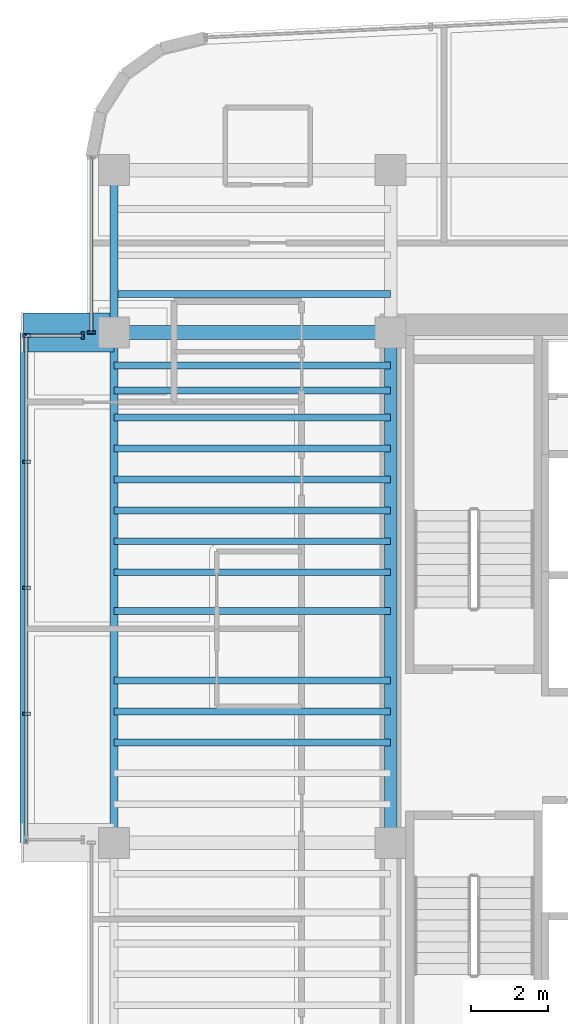
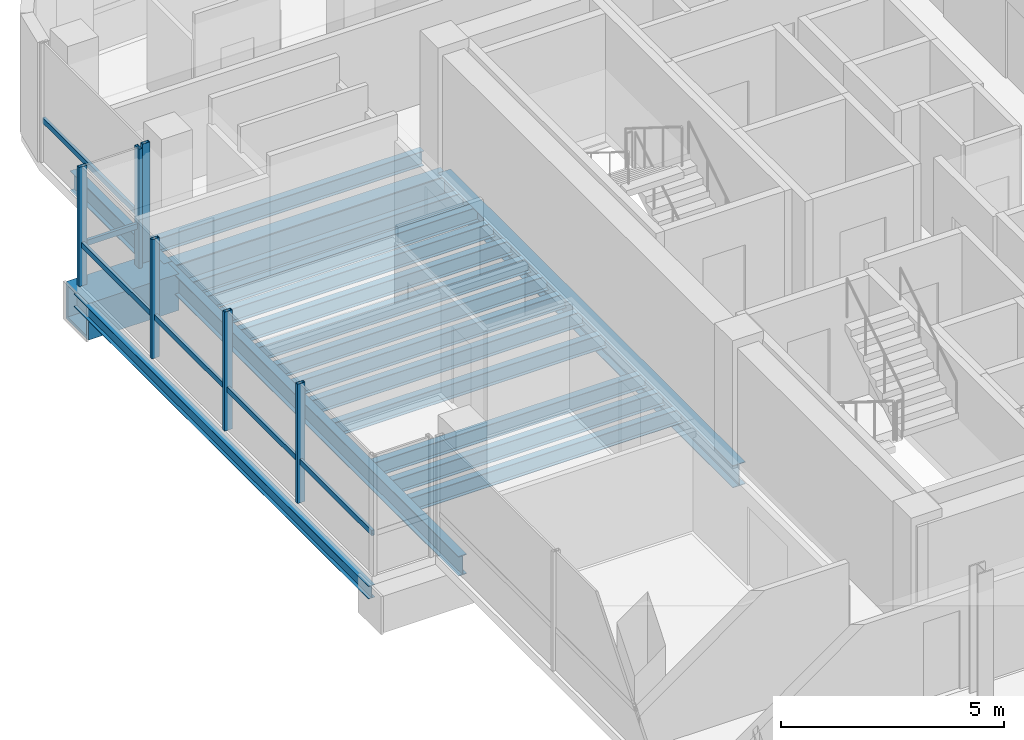
# One storey, part 6 of 20: 19 beams, 9 members, 3 elements without a shape of their own.
"""IFC4 building model written with IfcOpenShell, lengths in metres."""

from ifc_helpers import new_model, si_unit, direction, frame, origin, origin_2d, place, context, subcontext, project, spatial, hollow_rectangle, i_section, extrude, source, transform, mapped, material, material_profile, profile_set, type_object, element, aggregate, save


model = new_model("IFC4")

# Units and contexts
model_context = context("Model", 3, precision=1e-05, world=origin(), true_north=direction((0.0, 1.0)))
body_context = subcontext(model_context, "Body", "Model", "MODEL_VIEW")
ifc_project = project(units=[si_unit("LENGTHUNIT", "METRE"), si_unit("AREAUNIT", "SQUARE_METRE"), si_unit("VOLUMEUNIT", "CUBIC_METRE"), si_unit("PLANEANGLEUNIT", "RADIAN"), si_unit("MASSUNIT", "GRAM", prefix="KILO")], contexts=[model_context])

# Site, building, storey
site_placement = place(None, origin())
site = spatial("IfcSite", under=ifc_project, at=site_placement, CompositionType="ELEMENT")
building_placement = place(site_placement, origin())
building = spatial("IfcBuilding", under=site, at=building_placement, Name="Valdorenza Pilgrim Sanctuary Tower", CompositionType="ELEMENT")
storey_placement = place(building_placement, frame((0.0, 0.0, 240.5)))
storey = spatial("IfcBuildingStorey", under=building, at=storey_placement, Name="L62", CompositionType="ELEMENT", Elevation=240.5)

# Beams
ifc_material_1 = material(Name="Steel ASTM A992 Grade 50", Category="steel")
ifc_material_profile_1 = material_profile(ifc_material_1, i_section(OverallWidth=0.323974609375, OverallDepth=0.611083984375, WebThickness=0.0126953125, FlangeThickness=0.01904296875, at=origin_2d()), Name="W24X104")
ifc_profile_set_1 = profile_set([ifc_material_profile_1], Name="Steel ASTM A992 Grade 50")
beam_type_1 = type_object("IfcBeamType", Name="STR-BM-GRD-W24B", PredefinedType="BEAM", material=ifc_profile_set_1)
shared_shape_1 = source(origin(), body_context, "Body", "SweptSolid", [
    extrude(i_section(OverallWidth=0.323974609375, OverallDepth=0.611083984375, WebThickness=0.0126953125, FlangeThickness=0.01904296875, at=origin_2d()), origin(), (0.0, 0.0, 1.0), 13.2001953125),
])
beam_1_placement = place(storey_placement, frame((-22.64990234375, -2.60009765625, -0.54541015625), z_axis=(0.0, 1.0, 0.0), x_axis=(-1.0, 0.0, 0.0)))
element("IfcBeam", 1, at=beam_1_placement, inside=storey, type_object=beam_type_1, Name="L62 Core Tie Girder CA-W-M0N1", PredefinedType="BEAM", context=body_context, shape_type="MappedRepresentation", body=[
    mapped(shared_shape_1, transform((0.0, 0.0, 0.0), x_axis=(1.0, 0.0, 0.0), y_axis=(0.0, 1.0, 0.0), z_axis=(0.0, 0.0, 1.0), scale=1.0)),
])
ifc_material_profile_2 = material_profile(ifc_material_1, i_section(OverallWidth=0.1708984375, OverallDepth=0.35107421875, WebThickness=0.0068359375, FlangeThickness=0.009765625, at=origin_2d()), Name="W14X30")
ifc_profile_set_2 = profile_set([ifc_material_profile_2], Name="Steel ASTM A992 Grade 50")
beam_type_2 = type_object("IfcBeamType", Name="STR-BM-BOX-W14", PredefinedType="BEAM", material=ifc_profile_set_2)
shared_shape_2 = source(origin(), body_context, "Body", "SweptSolid", [
    extrude(i_section(OverallWidth=0.1708984375, OverallDepth=0.35107421875, WebThickness=0.0068359375, FlangeThickness=0.009765625, at=origin_2d()), origin(), (0.0, 0.0, 1.0), 13.2001953125),
])
beam_2_placement = place(storey_placement, frame((-32.14990234375, -2.60009765625, -0.41552734375), z_axis=(0.0, 1.0, 0.0), x_axis=(-1.0, 0.0, 0.0)))
element("IfcBeam", 2, at=beam_2_placement, inside=storey, type_object=beam_type_2, Name="L62 Glass Box Edge Beam BOX-WA-L62-F", PredefinedType="BEAM", context=body_context, shape_type="MappedRepresentation", body=[
    mapped(shared_shape_2, transform((0.0, 0.0, 0.0), x_axis=(1.0, 0.0, 0.0), y_axis=(0.0, 1.0, 0.0), z_axis=(0.0, 0.0, 1.0), scale=1.0)),
])
ifc_material_profile_3 = material_profile(ifc_material_1, i_section(OverallWidth=0.2109375, OverallDepth=0.5390625, WebThickness=0.01171875, FlangeThickness=0.018798828125, at=origin_2d()), Name="W21X73")
ifc_profile_set_3 = profile_set([ifc_material_profile_3], Name="Steel ASTM A992 Grade 50")
beam_type_3 = type_object("IfcBeamType", Name="STR-BM-SPN-W21B", PredefinedType="SPANDREL", material=ifc_profile_set_3)
shared_shape_3 = source(origin(), body_context, "Body", "SweptSolid", [
    extrude(i_section(OverallWidth=0.2109375, OverallDepth=0.5390625, WebThickness=0.01171875, FlangeThickness=0.018798828125, at=origin_2d()), origin(), (0.0, 0.0, 1.0), 13.2001953125),
])
beam_3_placement = place(storey_placement, frame((-29.800048828125, -2.60009765625, -0.509521484375), z_axis=(0.0, 1.0, 0.0), x_axis=(-1.0, 0.0, 0.0)))
element("IfcBeam", 3, at=beam_3_placement, inside=storey, type_object=beam_type_3, Name="L62 Spandrel Beam WA-W-M0N1", PredefinedType="SPANDREL", context=body_context, shape_type="MappedRepresentation", body=[
    mapped(shared_shape_3, transform((0.0, 0.0, 0.0), x_axis=(1.0, 0.0, 0.0), y_axis=(0.0, 1.0, 0.0), z_axis=(0.0, 0.0, 1.0), scale=1.0)),
])
shared_shape_4 = source(origin(), body_context, "Body", "SweptSolid", [
    extrude(i_section(OverallWidth=0.2109375, OverallDepth=0.5390625, WebThickness=0.01171875, FlangeThickness=0.018798828125, at=origin_2d()), origin(), (0.0, 0.0, 1.0), 4.199951171875),
])
beam_4_placement = place(storey_placement, frame((-29.800048828125, 10.60009765625, -0.509521484375), z_axis=(0.0, 1.0, 0.0), x_axis=(-1.0, 0.0, 0.0)))
element("IfcBeam", 4, at=beam_4_placement, inside=storey, type_object=beam_type_3, Name="L62 Spandrel Beam WA-W-N1N2", PredefinedType="SPANDREL", context=body_context, shape_type="MappedRepresentation", body=[
    mapped(shared_shape_4, transform((0.0, 0.0, 0.0), x_axis=(1.0, 0.0, 0.0), y_axis=(0.0, 1.0, 0.0), z_axis=(0.0, 0.0, 1.0), scale=1.0)),
])
ifc_material_profile_4 = material_profile(ifc_material_1, i_section(OverallWidth=0.35595703125, OverallDepth=0.700927734375, WebThickness=0.016845703125, FlangeThickness=0.02734375, at=origin_2d()), Name="W27X161")
ifc_profile_set_4 = profile_set([ifc_material_profile_4], Name="Steel ASTM A992 Grade 50")
beam_type_4 = type_object("IfcBeamType", Name="STR-BM-GRD-W27", PredefinedType="BEAM", material=ifc_profile_set_4)
shared_shape_5 = source(origin(), body_context, "Body", "SweptSolid", [
    extrude(i_section(OverallWidth=0.35595703125, OverallDepth=0.700927734375, WebThickness=0.016845703125, FlangeThickness=0.02734375, at=origin_2d()), origin(), (0.0, 0.0, 1.0), 7.150146484375),
])
beam_5_placement = place(storey_placement, frame((-29.800048828125, 10.60009765625, -0.590576171875), z_axis=(1.0, 0.0, 0.0), x_axis=(0.0, 1.0, 0.0)))
element("IfcBeam", 5, at=beam_5_placement, inside=storey, type_object=beam_type_4, Name="L62 Floor Girder WA-XW-N1", PredefinedType="BEAM", context=body_context, shape_type="MappedRepresentation", body=[
    mapped(shared_shape_5, transform((0.0, 0.0, 0.0), x_axis=(1.0, 0.0, 0.0), y_axis=(0.0, 1.0, 0.0), z_axis=(0.0, 0.0, 1.0), scale=1.0)),
])
ifc_material_profile_5 = material_profile(ifc_material_1, i_section(OverallWidth=0.177978515625, OverallDepth=0.406005859375, WebThickness=0.0078125, FlangeThickness=0.0126953125, at=origin_2d()), Name="W16X40")
ifc_profile_set_5 = profile_set([ifc_material_profile_5], Name="Steel ASTM A992 Grade 50")
beam_type_5 = type_object("IfcBeamType", Name="STR-BM-JST-W16", PredefinedType="JOIST", material=ifc_profile_set_5)
shared_shape_6 = source(origin(), body_context, "Body", "SweptSolid", [
    extrude(i_section(OverallWidth=0.177978515625, OverallDepth=0.406005859375, WebThickness=0.0078125, FlangeThickness=0.0126953125, at=origin_2d()), origin(), (0.0, 0.0, 1.0), 7.150146484375),
])
for number, where, z_axis, x_axis, name in (
    (6, (-29.800048828125, 0.0, -0.443115234375), (1.0, 0.0, 0.0), (0.0, 1.0, 0.0), "L62 Composite Floor Joist JST-WA-12"),
    (7, (-29.800048828125, 0.800048828125, -0.443115234375), (1.0, 0.0, 0.0), (0.0, 1.0, 0.0), "L62 Composite Floor Joist JST-WA-13"),
    (8, (-29.800048828125, 1.60009765625, -0.443115234375), (1.0, 0.0, 0.0), (0.0, 1.0, 0.0), "L62 Composite Floor Joist JST-WA-14"),
    (9, (-29.800048828125, 3.39990234375, -0.443115234375), (1.0, 0.0, 0.0), (0.0, 1.0, 0.0), "L62 Composite Floor Joist JST-WA-15"),
    (10, (-29.800048828125, 4.39990234375, -0.443115234375), (1.0, 0.0, 0.0), (0.0, 1.0, 0.0), "L62 Composite Floor Joist JST-WA-16"),
    (11, (-29.800048828125, 5.199951171875, -0.443115234375), (1.0, 0.0, 0.0), (0.0, 1.0, 0.0), "L62 Composite Floor Joist JST-WA-17"),
    (12, (-29.800048828125, 6.0, -0.443115234375), (1.0, 0.0, 0.0), (0.0, 1.0, 0.0), "L62 Composite Floor Joist JST-WA-18"),
    (13, (-29.800048828125, 6.800048828125, -0.443115234375), (1.0, 0.0, 0.0), (0.0, 1.0, 0.0), "L62 Composite Floor Joist JST-WA-19"),
    (14, (-29.800048828125, 7.60009765625, -0.443115234375), (1.0, 0.0, 0.0), (0.0, 1.0, 0.0), "L62 Composite Floor Joist JST-WA-20"),
    (15, (-29.800048828125, 8.39990234375, -0.443115234375), (1.0, 0.0, 0.0), (0.0, 1.0, 0.0), "L62 Composite Floor Joist JST-WA-21"),
    (16, (-29.800048828125, 9.10009765625, -0.443115234375), (1.0, 0.0, 0.0), (0.0, 1.0, 0.0), "L62 Composite Floor Joist JST-WA-22"),
    (17, (-29.800048828125, 9.75, -0.443115234375), (1.0, 0.0, 0.0), (0.0, 1.0, 0.0), "L62 Composite Floor Joist JST-WA-23"),
    (18, (-29.800048828125, 11.60009765625, -0.443115234375), (1.0, 0.0, 0.0), (0.0, 1.0, 0.0), "L62 Composite Floor Joist JST-WA-24"),
):
    element("IfcBeam", number, at=place(storey_placement, frame(where, z_axis=z_axis, x_axis=x_axis)), inside=storey, type_object=beam_type_5, Name=name, PredefinedType="JOIST", context=body_context, shape_type="MappedRepresentation", body=[
        mapped(shared_shape_6, transform((0.0, 0.0, 0.0), x_axis=(1.0, 0.0, 0.0), y_axis=(0.0, 1.0, 0.0), z_axis=(0.0, 0.0, 1.0), scale=1.0)),
    ])
ifc_material_2 = material(Name="Steel ASTM A572 Grade 42", Category="steel")
ifc_material_profile_6 = material_profile(ifc_material_2, hollow_rectangle(XDim=1.0, YDim=1.0, WallThickness=0.080078125, at=origin_2d()), Name="BOX 1000x1000x80")
ifc_profile_set_6 = profile_set([ifc_material_profile_6], Name="Steel ASTM A572 Grade 42")
beam_type_6 = type_object("IfcBeamType", Name="STR-BM-PROW-CANT", PredefinedType="BEAM", material=ifc_profile_set_6)
shared_shape_7 = source(origin(), body_context, "Body", "SweptSolid", [
    extrude(hollow_rectangle(XDim=1.0, YDim=1.0, WallThickness=0.080078125, at=origin_2d()), origin(), (0.0, 0.0, 1.0), 2.349853515625),
])
beam_6_placement = place(storey_placement, frame((-29.800048828125, 10.60009765625, -0.739990234375), z_axis=(-1.0, 0.0, 0.0), x_axis=(0.0, -1.0, 0.0)))
element("IfcBeam", 19, at=beam_6_placement, inside=storey, type_object=beam_type_6, Name="L62 Glass Box Cantilever Beam BOX-WA-L62-CT-N", PredefinedType="BEAM", context=body_context, shape_type="MappedRepresentation", body=[
    mapped(shared_shape_7, transform((0.0, 0.0, 0.0), x_axis=(1.0, 0.0, 0.0), y_axis=(0.0, 1.0, 0.0), z_axis=(0.0, 0.0, 1.0), scale=1.0)),
])

# Curtain wall, member
ifc_material_3 = material(Name="Curtain-wall IGU glazing", Category="glass")
curtain_wall_type = type_object("IfcCurtainWallType", Name="CW-SYS-02", PredefinedType="NOTDEFINED", material=ifc_material_3)
curtain_wall_1_placement = place(storey_placement, origin())
curtain_wall_1 = element("IfcCurtainWall", 20, at=curtain_wall_1_placement, inside=storey, type_object=curtain_wall_type, Name="L62 Curtain Wall CW-L62-BOX-WA-L62-N", PredefinedType="NOTDEFINED")
ifc_material_4 = material(Name="Anodised aluminium AW-6060", Category="aluminium")
ifc_material_profile_7 = material_profile(ifc_material_4, hollow_rectangle(XDim=0.074951171875, YDim=0.14990234375, WallThickness=0.00390625, at=origin_2d()), Name="ALU-T 150x75x4")
ifc_profile_set_7 = profile_set([ifc_material_profile_7], Name="Anodised aluminium AW-6060")
member_type_1 = type_object("IfcMemberType", Name="CW-TRN-02", PredefinedType="USERDEFINED", material=ifc_profile_set_7)
shared_shape_8 = source(origin(), body_context, "Body", "SweptSolid", [
    extrude(hollow_rectangle(XDim=0.074951171875, YDim=0.14990234375, WallThickness=0.00390625, at=origin_2d()), origin(), (0.0, 0.0, 1.0), 1.4599609375),
])
member_1_placement = place(storey_placement, frame((-32.070068359375, 10.52001953125, 1.1201171875), z_axis=(1.0, 0.0, 0.0), x_axis=(0.0, 1.0, 0.0)))
member_1 = element("IfcMember", 21, at=member_1_placement, type_object=member_type_1, Name="CW-L62-BOX-WA-L62-N Transom 1", ObjectType="TRANSOM", PredefinedType="USERDEFINED", context=body_context, shape_type="MappedRepresentation", body=[
    mapped(shared_shape_8, transform((0.0, 0.0, 0.0), x_axis=(1.0, 0.0, 0.0), y_axis=(0.0, 1.0, 0.0), z_axis=(0.0, 0.0, 1.0), scale=1.0)),
])

curtain_wall_2_placement = place(storey_placement, origin())
curtain_wall_2 = element("IfcCurtainWall", 22, at=curtain_wall_2_placement, inside=storey, type_object=curtain_wall_type, Name="L62 Curtain Wall CW-L62-BOX-WA-L62-F", PredefinedType="NOTDEFINED")
shared_shape_9 = source(origin(), body_context, "Body", "SweptSolid", [
    extrude(hollow_rectangle(XDim=0.074951171875, YDim=0.14990234375, WallThickness=0.00390625, at=origin_2d()), origin(), (0.0, 0.0, 1.0), 13.0400390625),
])
member_2_placement = place(storey_placement, frame((-32.070068359375, -2.52001953125, 1.1201171875), z_axis=(0.0, 1.0, 0.0), x_axis=(-1.0, 0.0, 0.0)))
member_2 = element("IfcMember", 23, at=member_2_placement, type_object=member_type_1, Name="CW-L62-BOX-WA-L62-F Transom 1", ObjectType="TRANSOM", PredefinedType="USERDEFINED", context=body_context, shape_type="MappedRepresentation", body=[
    mapped(shared_shape_9, transform((0.0, 0.0, 0.0), x_axis=(1.0, 0.0, 0.0), y_axis=(0.0, 1.0, 0.0), z_axis=(0.0, 0.0, 1.0), scale=1.0)),
])

curtain_wall_3_placement = place(storey_placement, origin())
curtain_wall_3 = element("IfcCurtainWall", 24, at=curtain_wall_3_placement, inside=storey, type_object=curtain_wall_type, Name="L62 Curtain Wall CW-L62-1-1S2", PredefinedType="NOTDEFINED")
ifc_material_profile_8 = material_profile(ifc_material_4, hollow_rectangle(XDim=0.0849609375, YDim=0.199951171875, WallThickness=0.0048828125, at=origin_2d()), Name="ALU-M 200x85x5")
ifc_profile_set_8 = profile_set([ifc_material_profile_8], Name="Anodised aluminium AW-6060")
member_type_2 = type_object("IfcMemberType", Name="CW-MUL-02", PredefinedType="MULLION", material=ifc_profile_set_8)
shared_shape_10 = source(origin(), body_context, "Body", "SweptSolid", [
    extrude(hollow_rectangle(XDim=0.0849609375, YDim=0.199951171875, WallThickness=0.0048828125, at=origin_2d()), origin(), (0.0, 0.0, 1.0), 3.260009765625),
])
member_3_placement = place(storey_placement, frame((-30.389892578125, 10.60009765625, 0.0), z_axis=(0.0, 0.0, 1.0), x_axis=(0.0, 1.0, 0.0)))
member_3 = element("IfcMember", 25, at=member_3_placement, type_object=member_type_2, Name="CW-L62-1-1S2 Mullion 1", PredefinedType="MULLION", context=body_context, shape_type="MappedRepresentation", body=[
    mapped(shared_shape_10, transform((0.0, 0.0, 0.0), x_axis=(1.0, 0.0, 0.0), y_axis=(0.0, 1.0, 0.0), z_axis=(0.0, 0.0, 1.0), scale=1.0)),
])

# Member
member_4_placement = place(storey_placement, frame((-32.070068359375, 0.739990234375, 0.0), z_axis=(0.0, 0.0, 1.0), x_axis=(0.0, 1.0, 0.0)))
member_4 = element("IfcMember", 26, at=member_4_placement, type_object=member_type_2, Name="CW-L62-BOX-WA-L62-F Mullion 2", PredefinedType="MULLION", context=body_context, shape_type="MappedRepresentation", body=[
    mapped(shared_shape_10, transform((0.0, 0.0, 0.0), x_axis=(1.0, 0.0, 0.0), y_axis=(0.0, 1.0, 0.0), z_axis=(0.0, 0.0, 1.0), scale=1.0)),
])

member_5_placement = place(storey_placement, frame((-32.070068359375, 4.0, 0.0), z_axis=(0.0, 0.0, 1.0), x_axis=(0.0, 1.0, 0.0)))
member_5 = element("IfcMember", 27, at=member_5_placement, type_object=member_type_2, Name="CW-L62-BOX-WA-L62-F Mullion 3", PredefinedType="MULLION", context=body_context, shape_type="MappedRepresentation", body=[
    mapped(shared_shape_10, transform((0.0, 0.0, 0.0), x_axis=(1.0, 0.0, 0.0), y_axis=(0.0, 1.0, 0.0), z_axis=(0.0, 0.0, 1.0), scale=1.0)),
])

member_6_placement = place(storey_placement, frame((-32.070068359375, 7.260009765625, 0.0), z_axis=(0.0, 0.0, 1.0), x_axis=(0.0, 1.0, 0.0)))
member_6 = element("IfcMember", 28, at=member_6_placement, type_object=member_type_2, Name="CW-L62-BOX-WA-L62-F Mullion 4", PredefinedType="MULLION", context=body_context, shape_type="MappedRepresentation", body=[
    mapped(shared_shape_10, transform((0.0, 0.0, 0.0), x_axis=(1.0, 0.0, 0.0), y_axis=(0.0, 1.0, 0.0), z_axis=(0.0, 0.0, 1.0), scale=1.0)),
])

member_7_placement = place(storey_placement, frame((-32.070068359375, 10.52001953125, 0.0), z_axis=(0.0, 0.0, 1.0), x_axis=(0.0, 1.0, 0.0)))
member_7 = element("IfcMember", 29, at=member_7_placement, type_object=member_type_2, Name="CW-L62-BOX-WA-L62-F Mullion 5", PredefinedType="MULLION", context=body_context, shape_type="MappedRepresentation", body=[
    mapped(shared_shape_10, transform((0.0, 0.0, 0.0), x_axis=(1.0, 0.0, 0.0), y_axis=(0.0, 1.0, 0.0), z_axis=(0.0, 0.0, 1.0), scale=1.0)),
])

aggregate(curtain_wall_2, [member_4, member_5, member_6, member_7, member_2])

member_8_placement = place(storey_placement, frame((-30.610107421875, 10.52001953125, 0.0), z_axis=(0.0, 0.0, 1.0), x_axis=(1.0, 0.0, 0.0)))
member_8 = element("IfcMember", 30, at=member_8_placement, type_object=member_type_2, Name="CW-L62-BOX-WA-L62-N Mullion 2", PredefinedType="MULLION", context=body_context, shape_type="MappedRepresentation", body=[
    mapped(shared_shape_10, transform((0.0, 0.0, 0.0), x_axis=(1.0, 0.0, 0.0), y_axis=(0.0, 1.0, 0.0), z_axis=(0.0, 0.0, 1.0), scale=1.0)),
])

aggregate(curtain_wall_1, [member_8, member_1])

shared_shape_11 = source(origin(), body_context, "Body", "SweptSolid", [
    extrude(hollow_rectangle(XDim=0.074951171875, YDim=0.14990234375, WallThickness=0.00390625, at=origin_2d()), origin(), (0.0, 0.0, 1.0), 4.53662109375),
])
member_9_placement = place(storey_placement, frame((-30.389892578125, 10.60009765625, 1.1201171875), z_axis=(0.0, 1.0, 0.0), x_axis=(-1.0, 0.0, 0.0)))
member_9 = element("IfcMember", 31, at=member_9_placement, type_object=member_type_1, Name="CW-L62-1-1S2 Transom 1", ObjectType="TRANSOM", PredefinedType="USERDEFINED", context=body_context, shape_type="MappedRepresentation", body=[
    mapped(shared_shape_11, transform((0.0, 0.0, 0.0), x_axis=(1.0, 0.0, 0.0), y_axis=(0.0, 1.0, 0.0), z_axis=(0.0, 0.0, 1.0), scale=1.0)),
])

aggregate(curtain_wall_3, [member_3, member_9])

save(model, "model.ifc")
